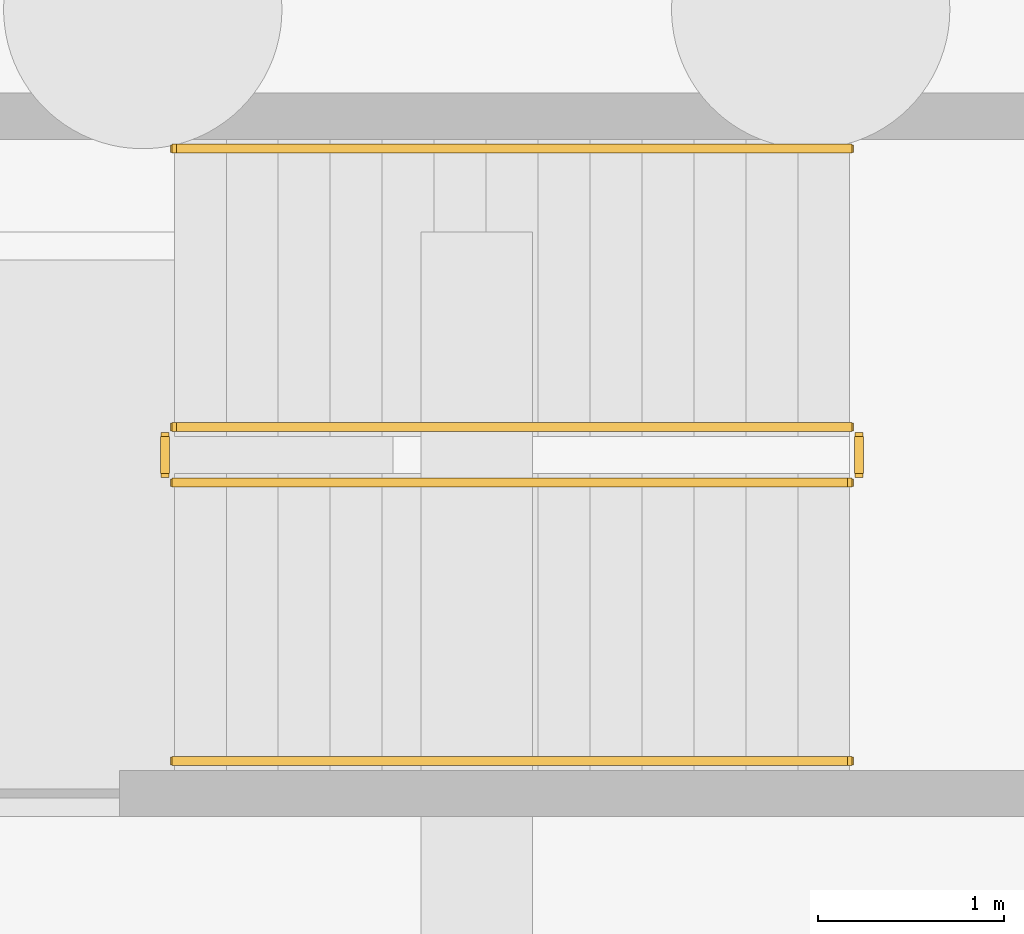
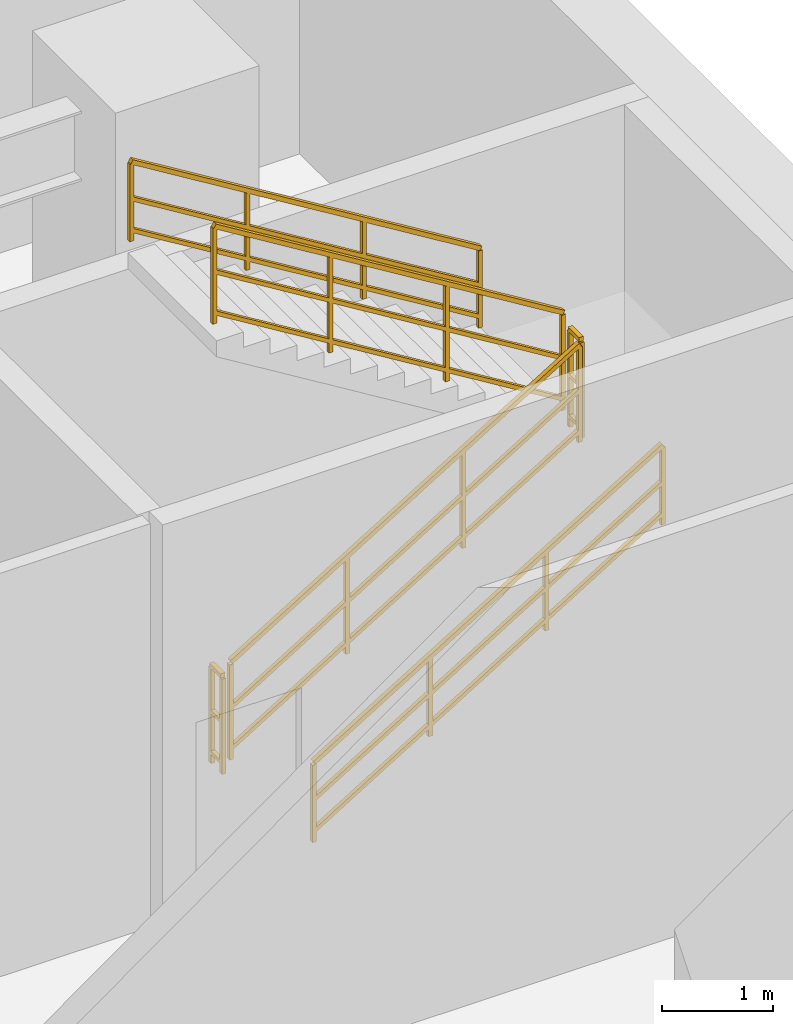
# One storey, part 8 of 8: 6 railings.
"""IFC4 building model written with IfcOpenShell, lengths in metres."""

from ifc_helpers import new_model, si_unit, direction, frame, origin, origin_2d, place, context, subcontext, project, spatial, rectangle, extrude, material, type_object, element, save


model = new_model("IFC4")

# Units and contexts
model_context = context("Model", 3, precision=1e-05, world=origin(), true_north=direction((0.0, 1.0)))
body_context = subcontext(model_context, "Body", "Model", "MODEL_VIEW")
ifc_project = project(units=[si_unit("LENGTHUNIT", "METRE"), si_unit("AREAUNIT", "SQUARE_METRE"), si_unit("VOLUMEUNIT", "CUBIC_METRE"), si_unit("PLANEANGLEUNIT", "RADIAN"), si_unit("MASSUNIT", "GRAM", prefix="KILO")], contexts=[model_context])

# Site, building, storey
site_placement = place(None, origin())
site = spatial("IfcSite", under=ifc_project, at=site_placement, CompositionType="ELEMENT")
building_placement = place(site_placement, origin())
building = spatial("IfcBuilding", under=site, at=building_placement, Name="Zulverin Broadcast Headquarters", CompositionType="ELEMENT")
storey_placement = place(building_placement, frame((0.0, 0.0, -9.60009765625)))
storey = spatial("IfcBuildingStorey", under=building, at=storey_placement, Name="B2", CompositionType="ELEMENT", Elevation=-9.60009765625)

# Railings
ifc_material_1 = material(Name="Painted galvanized steel tubular guardrail S355JR", Category="steel")
railing_type_1 = type_object("IfcRailingType", Name="RL-ST-GUARD", PredefinedType="GUARDRAIL", material=ifc_material_1)
railing_1_placement = place(storey_placement, frame((67.969970703125, 41.64990234375, 0.171630859375)))
element("IfcRailing", 1, at=railing_1_placement, inside=storey, type_object=railing_type_1, Name="B2 ST-4 stair guard 1", PredefinedType="GUARDRAIL", context=body_context, shape_type="SweptSolid", body=[
    extrude(rectangle(XDim=0.048095703125, YDim=0.048095703125, at=origin_2d()), frame((0.0, 0.0, 1.076171875), z_axis=(0.852865859571, 0.0, 0.52213008492), x_axis=(0.0, 1.0, 0.0)), (0.0, 0.0, 1.0), 4.26806640625),
    extrude(rectangle(XDim=0.0419921875, YDim=0.0419921875, at=origin_2d()), frame((0.0, 0.0, 0.572021484375), z_axis=(0.852865859571, 0.0, 0.52213008492), x_axis=(0.0, 1.0, 0.0)), (0.0, 0.0, 1.0), 4.26806640625),
    extrude(rectangle(XDim=0.0419921875, YDim=0.0419921875, at=origin_2d()), frame((0.0, 0.0, 0.1201171875), z_axis=(0.852865859571, 0.0, 0.52213008492), x_axis=(0.0, 1.0, 0.0)), (0.0, 0.0, 1.0), 4.26806640625),
    extrude(rectangle(XDim=0.0419921875, YDim=0.0419921875, at=origin_2d()), origin(), (0.0, 0.0, 1.0), 1.052001953125),
    extrude(rectangle(XDim=0.0419921875, YDim=0.0419921875, at=origin_2d()), frame((1.21337890625, 0.0, 0.742919921875)), (0.0, 0.0, 1.0), 1.052001953125),
    extrude(rectangle(XDim=0.0419921875, YDim=0.0419921875, at=origin_2d()), frame((2.4267578125, 0.0, 1.485595703125)), (0.0, 0.0, 1.0), 1.052001953125),
    extrude(rectangle(XDim=0.0419921875, YDim=0.0419921875, at=origin_2d()), frame((3.64013671875, 0.0, 2.228515625)), (0.0, 0.0, 1.0), 1.052001953125),
])
railing_2_placement = place(storey_placement, frame((71.659912109375, 41.699951171875, 2.400146484375)))
element("IfcRailing", 2, at=railing_2_placement, inside=storey, type_object=railing_type_1, Name="B2 ST-4 stair guard 2", PredefinedType="GUARDRAIL", context=body_context, shape_type="SweptSolid", body=[
    extrude(rectangle(XDim=0.048095703125, YDim=0.048095703125, at=origin_2d()), frame((0.0, 0.0, 1.076171875), z_axis=(0.0, 1.0, 0.0), x_axis=(-1.0, 0.0, 0.0)), (0.0, 0.0, 1.0), 0.199951171875),
    extrude(rectangle(XDim=0.0419921875, YDim=0.0419921875, at=origin_2d()), frame((0.0, 0.0, 0.572021484375), z_axis=(0.0, 1.0, 0.0), x_axis=(-1.0, 0.0, 0.0)), (0.0, 0.0, 1.0), 0.199951171875),
    extrude(rectangle(XDim=0.0419921875, YDim=0.0419921875, at=origin_2d()), frame((0.0, 0.0, 0.1201171875), z_axis=(0.0, 1.0, 0.0), x_axis=(-1.0, 0.0, 0.0)), (0.0, 0.0, 1.0), 0.199951171875),
    extrude(rectangle(XDim=0.0419921875, YDim=0.0419921875, at=origin_2d()), origin(), (0.0, 0.0, 1.0), 1.052001953125),
    extrude(rectangle(XDim=0.0419921875, YDim=0.0419921875, at=origin_2d()), frame((0.0, 0.199951171875, 0.0)), (0.0, 0.0, 1.0), 1.052001953125),
])
railing_3_placement = place(storey_placement, frame((71.610107421875, 41.949951171875, 2.571533203125)))
element("IfcRailing", 3, at=railing_3_placement, inside=storey, type_object=railing_type_1, Name="B2 ST-4 stair guard 3", PredefinedType="GUARDRAIL", context=body_context, shape_type="SweptSolid", body=[
    extrude(rectangle(XDim=0.048095703125, YDim=0.048095703125, at=origin_2d()), frame((0.0, 0.0, 1.076171875), z_axis=(-0.852865859571, 0.0, 0.52213008492), x_axis=(0.0, -1.0, 0.0)), (0.0, 0.0, 1.0), 4.26806640625),
    extrude(rectangle(XDim=0.0419921875, YDim=0.0419921875, at=origin_2d()), frame((0.0, 0.0, 0.572021484375), z_axis=(-0.852865859571, 0.0, 0.52213008492), x_axis=(0.0, -1.0, 0.0)), (0.0, 0.0, 1.0), 4.26806640625),
    extrude(rectangle(XDim=0.0419921875, YDim=0.0419921875, at=origin_2d()), frame((0.0, 0.0, 0.1201171875), z_axis=(-0.852865859571, 0.0, 0.52213008492), x_axis=(0.0, -1.0, 0.0)), (0.0, 0.0, 1.0), 4.26806640625),
    extrude(rectangle(XDim=0.0419921875, YDim=0.0419921875, at=origin_2d()), origin(), (0.0, 0.0, 1.0), 1.052001953125),
    extrude(rectangle(XDim=0.0419921875, YDim=0.0419921875, at=origin_2d()), frame((-1.21337890625, 0.0, 0.742919921875)), (0.0, 0.0, 1.0), 1.052001953125),
    extrude(rectangle(XDim=0.0419921875, YDim=0.0419921875, at=origin_2d()), frame((-2.4267578125, 0.0, 1.485595703125)), (0.0, 0.0, 1.0), 1.052001953125),
    extrude(rectangle(XDim=0.0419921875, YDim=0.0419921875, at=origin_2d()), frame((-3.64013671875, 0.0, 2.228515625)), (0.0, 0.0, 1.0), 1.052001953125),
])
railing_4_placement = place(storey_placement, frame((67.919921875, 41.699951171875, 0.0)))
element("IfcRailing", 4, at=railing_4_placement, inside=storey, type_object=railing_type_1, Name="B2 ST-4 stair guard 4", PredefinedType="GUARDRAIL", context=body_context, shape_type="SweptSolid", body=[
    extrude(rectangle(XDim=0.048095703125, YDim=0.048095703125, at=origin_2d()), frame((0.0, 0.0, 1.076171875), z_axis=(0.0, 1.0, 0.0), x_axis=(-1.0, 0.0, 0.0)), (0.0, 0.0, 1.0), 0.199951171875),
    extrude(rectangle(XDim=0.0419921875, YDim=0.0419921875, at=origin_2d()), frame((0.0, 0.0, 0.572021484375), z_axis=(0.0, 1.0, 0.0), x_axis=(-1.0, 0.0, 0.0)), (0.0, 0.0, 1.0), 0.199951171875),
    extrude(rectangle(XDim=0.0419921875, YDim=0.0419921875, at=origin_2d()), frame((0.0, 0.0, 0.1201171875), z_axis=(0.0, 1.0, 0.0), x_axis=(-1.0, 0.0, 0.0)), (0.0, 0.0, 1.0), 0.199951171875),
    extrude(rectangle(XDim=0.0419921875, YDim=0.0419921875, at=origin_2d()), origin(), (0.0, 0.0, 1.0), 1.052001953125),
    extrude(rectangle(XDim=0.0419921875, YDim=0.0419921875, at=origin_2d()), frame((0.0, 0.199951171875, 0.0)), (0.0, 0.0, 1.0), 1.052001953125),
])
ifc_material_2 = material(Name="Brushed stainless steel 48 mm handrail", Category="steel")
railing_type_2 = type_object("IfcRailingType", Name="RL-ST-HAND", PredefinedType="HANDRAIL", material=ifc_material_2)
railing_5_placement = place(storey_placement, frame((67.969970703125, 40.14990234375, 0.171630859375)))
element("IfcRailing", 5, at=railing_5_placement, inside=storey, type_object=railing_type_2, Name="B2 ST-4 stair handrail 1", PredefinedType="HANDRAIL", context=body_context, shape_type="SweptSolid", body=[
    extrude(rectangle(XDim=0.048095703125, YDim=0.048095703125, at=origin_2d()), frame((0.0, 0.0, 0.8759765625), z_axis=(0.852865859571, 0.0, 0.52213008492), x_axis=(0.0, 1.0, 0.0)), (0.0, 0.0, 1.0), 4.26806640625),
    extrude(rectangle(XDim=0.0419921875, YDim=0.0419921875, at=origin_2d()), frame((0.0, 0.0, 0.468017578125), z_axis=(0.852865859571, 0.0, 0.52213008492), x_axis=(0.0, 1.0, 0.0)), (0.0, 0.0, 1.0), 4.26806640625),
    extrude(rectangle(XDim=0.0419921875, YDim=0.0419921875, at=origin_2d()), frame((0.0, 0.0, 0.1201171875), z_axis=(0.852865859571, 0.0, 0.52213008492), x_axis=(0.0, 1.0, 0.0)), (0.0, 0.0, 1.0), 4.26806640625),
    extrude(rectangle(XDim=0.0419921875, YDim=0.0419921875, at=origin_2d()), origin(), (0.0, 0.0, 1.0), 0.851806640625),
    extrude(rectangle(XDim=0.0419921875, YDim=0.0419921875, at=origin_2d()), frame((1.21337890625, 0.0, 0.742919921875)), (0.0, 0.0, 1.0), 0.851806640625),
    extrude(rectangle(XDim=0.0419921875, YDim=0.0419921875, at=origin_2d()), frame((2.4267578125, 0.0, 1.485595703125)), (0.0, 0.0, 1.0), 0.851806640625),
    extrude(rectangle(XDim=0.0419921875, YDim=0.0419921875, at=origin_2d()), frame((3.64013671875, 0.0, 2.228515625)), (0.0, 0.0, 1.0), 0.851806640625),
])
railing_6_placement = place(storey_placement, frame((71.610107421875, 43.449951171875, 2.571533203125)))
element("IfcRailing", 6, at=railing_6_placement, inside=storey, type_object=railing_type_2, Name="B2 ST-4 stair handrail 2", PredefinedType="HANDRAIL", context=body_context, shape_type="SweptSolid", body=[
    extrude(rectangle(XDim=0.048095703125, YDim=0.048095703125, at=origin_2d()), frame((0.0, 0.0, 0.8759765625), z_axis=(-0.852865859571, 0.0, 0.52213008492), x_axis=(0.0, -1.0, 0.0)), (0.0, 0.0, 1.0), 4.26806640625),
    extrude(rectangle(XDim=0.0419921875, YDim=0.0419921875, at=origin_2d()), frame((0.0, 0.0, 0.468017578125), z_axis=(-0.852865859571, 0.0, 0.52213008492), x_axis=(0.0, -1.0, 0.0)), (0.0, 0.0, 1.0), 4.26806640625),
    extrude(rectangle(XDim=0.0419921875, YDim=0.0419921875, at=origin_2d()), frame((0.0, 0.0, 0.1201171875), z_axis=(-0.852865859571, 0.0, 0.52213008492), x_axis=(0.0, -1.0, 0.0)), (0.0, 0.0, 1.0), 4.26806640625),
    extrude(rectangle(XDim=0.0419921875, YDim=0.0419921875, at=origin_2d()), origin(), (0.0, 0.0, 1.0), 0.851806640625),
    extrude(rectangle(XDim=0.0419921875, YDim=0.0419921875, at=origin_2d()), frame((-1.21337890625, 0.0, 0.742919921875)), (0.0, 0.0, 1.0), 0.851806640625),
    extrude(rectangle(XDim=0.0419921875, YDim=0.0419921875, at=origin_2d()), frame((-2.4267578125, 0.0, 1.485595703125)), (0.0, 0.0, 1.0), 0.851806640625),
    extrude(rectangle(XDim=0.0419921875, YDim=0.0419921875, at=origin_2d()), frame((-3.64013671875, 0.0, 2.228515625)), (0.0, 0.0, 1.0), 0.851806640625),
])

save(model, "model.ifc")
